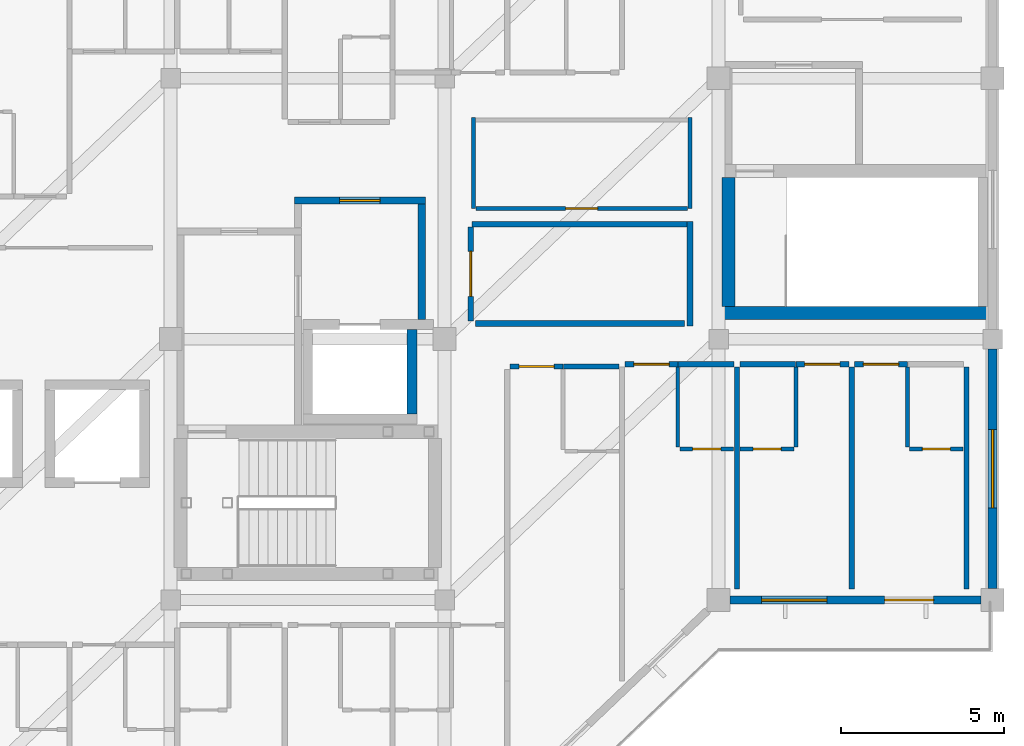
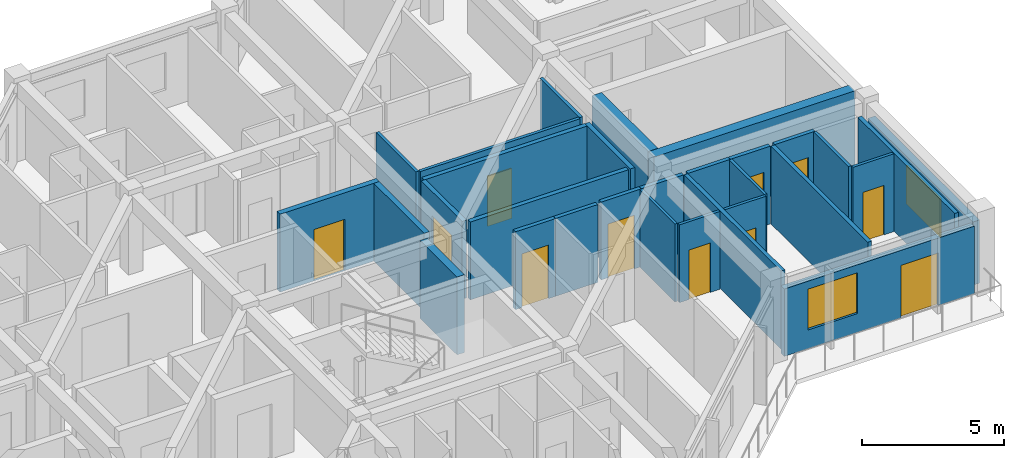
# One storey, part 10 of 15: 30 walls, 11 doors, 2 windows, 13 openings.
"""IFC4 building model written with IfcOpenShell, lengths in metres."""

from ifc_helpers import new_model, si_unit, direction, frame, frame_2d, origin, place, context, subcontext, project, spatial, rectangle, extrude, material, layer, layer_set, type_object, element, fill, save


model = new_model("IFC4")

# Units and contexts
model_context = context("Model", 3, precision=1e-05, world=origin(), true_north=direction((0.0, 1.0)))
body_context = subcontext(model_context, "Body", "Model", "MODEL_VIEW")
ifc_project = project(units=[si_unit("LENGTHUNIT", "METRE"), si_unit("AREAUNIT", "SQUARE_METRE"), si_unit("VOLUMEUNIT", "CUBIC_METRE"), si_unit("PLANEANGLEUNIT", "RADIAN"), si_unit("MASSUNIT", "GRAM", prefix="KILO")], contexts=[model_context])

# Site, building, storey
site_placement = place(None, origin())
site = spatial("IfcSite", under=ifc_project, at=site_placement, CompositionType="ELEMENT")
building_placement = place(site_placement, origin())
building = spatial("IfcBuilding", under=site, at=building_placement, Name="Naruveol Harbour Congress Hotel", CompositionType="ELEMENT")
storey_placement = place(building_placement, frame((0.0, 0.0, 32.39990234375)))
storey = spatial("IfcBuildingStorey", under=building, at=storey_placement, Name="L07", CompositionType="ELEMENT", Elevation=32.39990234375)

# Wall, opening, door
ifc_material_1 = material(Name="Autoclaved Aerated Concrete Block", Category="concrete")
ifc_layer_1 = layer(ifc_material_1, 0.179931640625)
ifc_layer_set_1 = layer_set([ifc_layer_1], Name="Autoclaved Aerated Concrete Block")
wall_type_1 = type_object("IfcWallType", Name="ACOUSTIC HALL PARTITION WALL 180 EI60", PredefinedType="PARTITIONING", material=ifc_layer_set_1)
wall_1_placement = place(storey_placement, frame((160.39990234375, 24.56005859375, 0.0), z_axis=(0.0, 0.0, 1.0), x_axis=(0.0, 1.0, 0.0)))
wall_1 = element("IfcWall", 1, at=wall_1_placement, inside=storey, type_object=wall_type_1, Name="Club Boardroom west entry wall PW-180", PredefinedType="PARTITIONING", context=body_context, shape_type="SweptSolid", body=[
    extrude(rectangle(XDim=2.8798828125, YDim=0.179931640625, at=frame_2d((1.43994140625, 0.0))), origin(), (0.0, 0.0, 1.0), 3.335205078125),
])
opening_1_placement = place(wall_1_placement, frame((0.75, 0.0, 0.0)))
opening_1 = element("IfcOpeningElement", 2, at=opening_1_placement, cuts=wall_1, Name="Opening ID-BD-116", PredefinedType="OPENING", context=body_context, shape_type="SweptSolid", body=[
    extrude(rectangle(XDim=1.3798828125, YDim=2.300048828125, at=frame_2d((0.68994140625, 1.14990234375))), frame((0.0, 0.099853515625, 0.0), z_axis=(0.0, -1.0, 0.0), x_axis=(1.0, 0.0, 0.0)), (0.0, 0.0, 1.0), 0.199951171875),
])
ifc_material_2 = material(Name="Timber & Steel Acoustic Leaf", Category="steel")
door_type_1 = type_object("IfcDoorType", Name="BOARDROOM GLAZED DOUBLE DOOR 1380X2300", OperationType="DOUBLE_DOOR_SINGLE_SWING", PredefinedType="DOOR", material=ifc_material_2)
door_1_placement = place(opening_1_placement, origin())
door_1 = element("IfcDoor", 3, at=door_1_placement, inside=storey, type_object=door_type_1, Name="Club Boardroom Entrance Door", OperationType="DOUBLE_DOOR_SINGLE_SWING", OverallHeight=2.300048828125, OverallWidth=1.3798828125, PredefinedType="DOOR", context=body_context, shape_type="SweptSolid", body=[
    extrude(rectangle(XDim=1.3798828125, YDim=2.300048828125, at=frame_2d((0.68994140625, 1.14990234375))), frame((0.0, 0.02490234375, 0.0), z_axis=(0.0, -1.0, 0.0), x_axis=(1.0, 0.0, 0.0)), (0.0, 0.0, 1.0), 0.050048828125),
])
fill(opening_1, door_1)

# Walls
wall_2_placement = place(storey_placement, frame((160.5400390625, 24.47998046875, 0.0), z_axis=(0.0, 0.0, 1.0), x_axis=(1.0, 0.0, 0.0)))
element("IfcWall", 4, at=wall_2_placement, inside=storey, type_object=wall_type_1, Name="Club Boardroom south partition PW-180", PredefinedType="PARTITIONING", context=body_context, shape_type="SweptSolid", body=[
    extrude(rectangle(XDim=6.409912109375, YDim=0.179931640625, at=frame_2d((3.205078125, 0.0))), origin(), (0.0, 0.0, 1.0), 3.335205078125),
])
wall_3_placement = place(storey_placement, frame((167.1201171875, 24.39990234375, 0.0), z_axis=(0.0, 0.0, 1.0), x_axis=(0.0, 1.0, 0.0)))
element("IfcWall", 5, at=wall_3_placement, inside=storey, type_object=wall_type_1, Name="Club Boardroom east enclosure partition PW-180", PredefinedType="PARTITIONING", context=body_context, shape_type="SweptSolid", body=[
    extrude(rectangle(XDim=3.2001953125, YDim=0.179931640625, at=frame_2d((1.60009765625, 0.0))), origin(), (0.0, 0.0, 1.0), 3.335205078125),
])
wall_4_placement = place(storey_placement, frame((160.431884765625, 27.52001953125, 0.0), z_axis=(0.0, 0.0, 1.0), x_axis=(1.0, 0.0, 0.0)))
element("IfcWall", 6, at=wall_4_placement, inside=storey, type_object=wall_type_1, Name="Club Boardroom north enclosure partition PW-180", PredefinedType="PARTITIONING", context=body_context, shape_type="SweptSolid", body=[
    extrude(rectangle(XDim=6.59814453125, YDim=0.179931640625, at=frame_2d((3.299072265625, 0.0))), origin(), (0.0, 0.0, 1.0), 3.335205078125),
])

# Wall, opening, window
ifc_material_3 = material(Name="Precast concrete C40/50", Category="concrete")
ifc_layer_2 = layer(ifc_material_3, 0.280029296875)
ifc_layer_set_2 = layer_set([ifc_layer_2], Name="Precast concrete C40/50")
wall_type_2 = type_object("IfcWallType", Name="ARCHITECTURAL PRECAST FACADE WALL 280", PredefinedType="SOLIDWALL", material=ifc_layer_set_2)
wall_5_placement = place(storey_placement, frame((176.39990234375, 23.699951171875, 0.0), z_axis=(0.0, 0.0, 1.0), x_axis=(0.0, -1.0, 0.0)))
wall_5 = element("IfcWall", 7, at=wall_5_placement, inside=storey, type_object=wall_type_2, Name="Hotel east gable wall L07 EW-280", PredefinedType="SOLIDWALL", context=body_context, shape_type="SweptSolid", body=[
    extrude(rectangle(XDim=7.349853515625, YDim=0.280029296875, at=frame_2d((3.6748046875, 0.0))), origin(), (0.0, 0.0, 1.0), 2.7001953125),
])
opening_2_placement = place(wall_5_placement, frame((2.47509765625, 0.0, 0.5)))
opening_2 = element("IfcOpeningElement", 8, at=opening_2_placement, cuts=wall_5, Name="Opening W-07", PredefinedType="OPENING", context=body_context, shape_type="SweptSolid", body=[
    extrude(rectangle(XDim=2.39990234375, YDim=1.64990234375, at=frame_2d((1.199951171875, 0.824951171875))), frame((0.0, 0.14990234375, 0.0), z_axis=(0.0, -1.0, 0.0), x_axis=(1.0, 0.0, 0.0)), (0.0, 0.0, 1.0), 0.300048828125),
])
ifc_material_4 = material(Name="Low-E Triple Glazing in Thermal Aluminium", Category="aluminium")
window_type_1 = type_object("IfcWindowType", Name="CORNER SUITE WINDOW 2400X1650", PartitioningType="DOUBLE_PANEL_VERTICAL", PredefinedType="WINDOW", material=ifc_material_4)
window_1_placement = place(opening_2_placement, origin())
window_1 = element("IfcWindow", 9, at=window_1_placement, inside=storey, type_object=window_type_1, Name="Window W-07 #410", OverallHeight=1.64990234375, OverallWidth=2.39990234375, PartitioningType="DOUBLE_PANEL_VERTICAL", PredefinedType="WINDOW", context=body_context, shape_type="SweptSolid", body=[
    extrude(rectangle(XDim=2.39990234375, YDim=1.64990234375, at=frame_2d((1.199951171875, 0.824951171875))), frame((0.0, 0.030029296875, 0.0), z_axis=(0.0, -1.0, 0.0), x_axis=(1.0, 0.0, 0.0)), (0.0, 0.0, 1.0), 0.06005859375),
])
fill(opening_2, window_1)

# Wall
ifc_material_5 = material(Name="Moisture-Resistant Gypsum Partition", Category="gypsum")
ifc_layer_3 = layer(ifc_material_5, 0.114990234375)
ifc_layer_set_3 = layer_set([ifc_layer_3], Name="Moisture-Resistant Gypsum Partition")
wall_type_3 = type_object("IfcWallType", Name="BATHROOM MOISTURE PARTITION WALL 115", PredefinedType="PARTITIONING", material=ifc_layer_set_3)
wall_6_placement = place(storey_placement, frame((166.75, 20.68994140625, 0.0), z_axis=(0.0, 0.0, 1.0), x_axis=(0.0, 1.0, 0.0)))
element("IfcWall", 10, at=wall_6_placement, inside=storey, type_object=wall_type_3, Name="Bathroom west wall 0801 PW-115", PredefinedType="PARTITIONING", context=body_context, shape_type="SweptSolid", body=[
    extrude(rectangle(XDim=2.449951171875, YDim=0.114990234375, at=frame_2d((1.22509765625, 0.0))), origin(), (0.0, 0.0, 1.0), 3.335205078125),
])

# Wall, opening, door
wall_7_placement = place(storey_placement, frame((166.81005859375, 20.6298828125, 0.0), z_axis=(0.0, 0.0, 1.0), x_axis=(1.0, 0.0, 0.0)))
wall_7 = element("IfcWall", 11, at=wall_7_placement, inside=storey, type_object=wall_type_3, Name="Bathroom south wall 0801 PW-115", PredefinedType="PARTITIONING", context=body_context, shape_type="SweptSolid", body=[
    extrude(rectangle(XDim=1.64990234375, YDim=0.114990234375, at=frame_2d((0.824951171875, 0.0))), origin(), (0.0, 0.0, 1.0), 3.335205078125),
])
opening_3_placement = place(wall_7_placement, frame((0.39501953125, 0.0, 0.0)))
opening_3 = element("IfcOpeningElement", 12, at=opening_3_placement, cuts=wall_7, Name="Opening BD-RM0801", PredefinedType="OPENING", context=body_context, shape_type="SweptSolid", body=[
    extrude(rectangle(XDim=0.860107421875, YDim=2.1201171875, at=frame_2d((0.43017578125, 1.06005859375))), frame((0.0, 0.0673828125, 0.0), z_axis=(0.0, -1.0, 0.0), x_axis=(1.0, 0.0, 0.0)), (0.0, 0.0, 1.0), 0.135009765625),
])
ifc_material_6 = material(Name="Timber & Steel Acoustic Leaf", Category="steel")
door_type_2 = type_object("IfcDoorType", Name="GUEST BATHROOM DOOR 860X2120", OperationType="NOTDEFINED", PredefinedType="DOOR", material=ifc_material_6)
door_2_placement = place(opening_3_placement, origin())
door_2 = element("IfcDoor", 13, at=door_2_placement, inside=storey, type_object=door_type_2, Name="Bathroom Door 0801", OperationType="SINGLE_SWING_RIGHT", OverallHeight=2.1201171875, OverallWidth=0.860107421875, PredefinedType="DOOR", context=body_context, shape_type="SweptSolid", body=[
    extrude(rectangle(XDim=0.860107421875, YDim=2.1201171875, at=frame_2d((0.43017578125, 1.06005859375))), frame((0.0, 0.02490234375, 0.0), z_axis=(0.0, -1.0, 0.0), x_axis=(1.0, 0.0, 0.0)), (0.0, 0.0, 1.0), 0.050048828125),
])
fill(opening_3, door_2)

# Wall
wall_8_placement = place(storey_placement, frame((170.3701171875, 20.68994140625, 0.0), z_axis=(0.0, 0.0, 1.0), x_axis=(0.0, 1.0, 0.0)))
element("IfcWall", 14, at=wall_8_placement, inside=storey, type_object=wall_type_3, Name="Bathroom east wall 0802 PW-115", PredefinedType="PARTITIONING", context=body_context, shape_type="SweptSolid", body=[
    extrude(rectangle(XDim=2.449951171875, YDim=0.114990234375, at=frame_2d((1.22509765625, 0.0))), origin(), (0.0, 0.0, 1.0), 3.335205078125),
])

# Wall, opening, door
wall_9_placement = place(storey_placement, frame((168.659912109375, 20.6298828125, 0.0), z_axis=(0.0, 0.0, 1.0), x_axis=(1.0, 0.0, 0.0)))
wall_9 = element("IfcWall", 15, at=wall_9_placement, inside=storey, type_object=wall_type_3, Name="Bathroom south wall 0802 PW-115", PredefinedType="PARTITIONING", context=body_context, shape_type="SweptSolid", body=[
    extrude(rectangle(XDim=1.650146484375, YDim=0.114990234375, at=frame_2d((0.8251953125, 0.0))), origin(), (0.0, 0.0, 1.0), 3.335205078125),
])
opening_4_placement = place(wall_9_placement, frame((0.39501953125, 0.0, 0.0)))
opening_4 = element("IfcOpeningElement", 16, at=opening_4_placement, cuts=wall_9, Name="Opening BD-RM0802", PredefinedType="OPENING", context=body_context, shape_type="SweptSolid", body=[
    extrude(rectangle(XDim=0.860107421875, YDim=2.1201171875, at=frame_2d((0.43017578125, 1.06005859375))), frame((0.0, 0.0673828125, 0.0), z_axis=(0.0, -1.0, 0.0), x_axis=(1.0, 0.0, 0.0)), (0.0, 0.0, 1.0), 0.135009765625),
])
door_3_placement = place(opening_4_placement, origin())
door_3 = element("IfcDoor", 17, at=door_3_placement, inside=storey, type_object=door_type_2, Name="Bathroom Door 0802", OperationType="SINGLE_SWING_RIGHT", OverallHeight=2.1201171875, OverallWidth=0.860107421875, PredefinedType="DOOR", context=body_context, shape_type="SweptSolid", body=[
    extrude(rectangle(XDim=0.860107421875, YDim=2.1201171875, at=frame_2d((0.43017578125, 1.06005859375))), frame((0.0, 0.02490234375, 0.0), z_axis=(0.0, -1.0, 0.0), x_axis=(1.0, 0.0, 0.0)), (0.0, 0.0, 1.0), 0.050048828125),
])
fill(opening_4, door_3)

# Wall
wall_10_placement = place(storey_placement, frame((173.7900390625, 20.68994140625, 0.0), z_axis=(0.0, 0.0, 1.0), x_axis=(0.0, 1.0, 0.0)))
element("IfcWall", 18, at=wall_10_placement, inside=storey, type_object=wall_type_3, Name="Bathroom west wall 0803 PW-115", PredefinedType="PARTITIONING", context=body_context, shape_type="SweptSolid", body=[
    extrude(rectangle(XDim=2.449951171875, YDim=0.114990234375, at=frame_2d((1.22509765625, 0.0))), origin(), (0.0, 0.0, 1.0), 3.335205078125),
])

# Wall, opening, door
wall_11_placement = place(storey_placement, frame((173.85009765625, 20.6298828125, 0.0), z_axis=(0.0, 0.0, 1.0), x_axis=(1.0, 0.0, 0.0)))
wall_11 = element("IfcWall", 19, at=wall_11_placement, inside=storey, type_object=wall_type_3, Name="Bathroom south wall 0803 PW-115", PredefinedType="PARTITIONING", context=body_context, shape_type="SweptSolid", body=[
    extrude(rectangle(XDim=1.64990234375, YDim=0.114990234375, at=frame_2d((0.824951171875, 0.0))), origin(), (0.0, 0.0, 1.0), 3.335205078125),
])
opening_5_placement = place(wall_11_placement, frame((0.39501953125, 0.0, 0.0)))
opening_5 = element("IfcOpeningElement", 20, at=opening_5_placement, cuts=wall_11, Name="Opening BD-RM0803", PredefinedType="OPENING", context=body_context, shape_type="SweptSolid", body=[
    extrude(rectangle(XDim=0.860107421875, YDim=2.1201171875, at=frame_2d((0.43017578125, 1.06005859375))), frame((0.0, 0.0673828125, 0.0), z_axis=(0.0, -1.0, 0.0), x_axis=(1.0, 0.0, 0.0)), (0.0, 0.0, 1.0), 0.135009765625),
])
door_4_placement = place(opening_5_placement, origin())
door_4 = element("IfcDoor", 21, at=door_4_placement, inside=storey, type_object=door_type_2, Name="Bathroom Door 0803", OperationType="SINGLE_SWING_RIGHT", OverallHeight=2.1201171875, OverallWidth=0.860107421875, PredefinedType="DOOR", context=body_context, shape_type="SweptSolid", body=[
    extrude(rectangle(XDim=0.860107421875, YDim=2.1201171875, at=frame_2d((0.43017578125, 1.06005859375))), frame((0.0, 0.02490234375, 0.0), z_axis=(0.0, -1.0, 0.0), x_axis=(1.0, 0.0, 0.0)), (0.0, 0.0, 1.0), 0.050048828125),
])
fill(opening_5, door_4)

# Wall
ifc_material_7 = material(Name="Concrete C40/50", Category="concrete")
ifc_layer_4 = layer(ifc_material_7, 0.219970703125)
ifc_layer_set_4 = layer_set([ifc_layer_4], Name="Concrete C40/50")
wall_type_4 = type_object("IfcWallType", Name="FIRE COMPARTMENT AND LOBBY WALL 220 EI120", PredefinedType="PARTITIONING", material=ifc_layer_set_4)
wall_12_placement = place(storey_placement, frame((158.89990234375, 24.60498046875, 0.0), z_axis=(0.0, 0.0, 1.0), x_axis=(0.0, 1.0, 0.0)))
element("IfcWall", 22, at=wall_12_placement, inside=storey, type_object=wall_type_4, Name="Firefighting lift lobby ST2 east wall FW-220", PredefinedType="PARTITIONING", context=body_context, shape_type="SweptSolid", body=[
    extrude(rectangle(XDim=3.530029296875, YDim=0.219970703125, at=frame_2d((1.76513671875, 0.0))), origin(), (0.0, 0.0, 1.0), 3.335205078125),
])

# Wall, opening, door
wall_13_placement = place(storey_placement, frame((154.989990234375, 28.25, 0.0), z_axis=(0.0, 0.0, 1.0), x_axis=(1.0, 0.0, 0.0)))
wall_13 = element("IfcWall", 23, at=wall_13_placement, inside=storey, type_object=wall_type_4, Name="Firefighting lift lobby ST2 north wall FW-220", PredefinedType="PARTITIONING", context=body_context, shape_type="SweptSolid", body=[
    extrude(rectangle(XDim=4.02001953125, YDim=0.219970703125, at=frame_2d((2.010009765625, 0.0))), origin(), (0.0, 0.0, 1.0), 3.335205078125),
])
opening_6_placement = place(wall_13_placement, frame((1.389892578125, 0.0, 0.0)))
opening_6 = element("IfcOpeningElement", 24, at=opening_6_placement, cuts=wall_13, Name="Opening FD-FFC-ST2-L07", PredefinedType="OPENING", context=body_context, shape_type="SweptSolid", body=[
    extrude(rectangle(XDim=1.239990234375, YDim=2.199951171875, at=frame_2d((0.6201171875, 1.10009765625))), frame((0.0, 0.119873046875, 0.0), z_axis=(0.0, -1.0, 0.0), x_axis=(1.0, 0.0, 0.0)), (0.0, 0.0, 1.0), 0.239990234375),
])
ifc_material_8 = material(Name="Timber & Steel Acoustic Leaf", Category="steel")
door_type_3 = type_object("IfcDoorType", Name="FIREFIGHTING LOBBY FIRE DOOR 1240X2200", OperationType="NOTDEFINED", PredefinedType="DOOR", material=ifc_material_8)
door_5_placement = place(opening_6_placement, origin())
door_5 = element("IfcDoor", 25, at=door_5_placement, inside=storey, type_object=door_type_3, Name="Firefighting Lobby Corridor Door ST2 L07", OperationType="SINGLE_SWING_LEFT", OverallHeight=2.199951171875, OverallWidth=1.239990234375, PredefinedType="DOOR", context=body_context, shape_type="SweptSolid", body=[
    extrude(rectangle(XDim=1.239990234375, YDim=2.199951171875, at=frame_2d((0.6201171875, 1.10009765625))), frame((0.0, 0.02490234375, 0.0), z_axis=(0.0, -1.0, 0.0), x_axis=(1.0, 0.0, 0.0)), (0.0, 0.0, 1.0), 0.050048828125),
])
fill(opening_6, door_5)

ifc_material_9 = material(Name="Autoclaved Aerated Concrete Block", Category="concrete")
ifc_layer_5 = layer(ifc_material_9, 0.159912109375)
ifc_layer_set_5 = layer_set([ifc_layer_5], Name="Autoclaved Aerated Concrete Block")
wall_type_5 = type_object("IfcWallType", Name="HOTEL PARTY AND CORRIDOR WALL 160 EI60", PredefinedType="PARTITIONING", material=ifc_layer_set_5)
wall_14_placement = place(storey_placement, frame((161.610107421875, 23.159912109375, 0.0), z_axis=(0.0, 0.0, 1.0), x_axis=(1.0, 0.0, 0.0)))
wall_14 = element("IfcWall", 26, at=wall_14_placement, inside=storey, type_object=wall_type_5, Name="Corridor entry wall 0800 PW-160", PredefinedType="PARTITIONING", context=body_context, shape_type="SweptSolid", body=[
    extrude(rectangle(XDim=1.619873046875, YDim=0.159912109375, at=frame_2d((0.81005859375, 0.0))), origin(), (0.0, 0.0, 1.0), 3.335205078125),
])
opening_7_placement = place(wall_14_placement, frame((0.27001953125, 0.0, 0.0)))
opening_7 = element("IfcOpeningElement", 27, at=opening_7_placement, cuts=wall_14, Name="Opening FD-RM0800", PredefinedType="OPENING", context=body_context, shape_type="SweptSolid", body=[
    extrude(rectangle(XDim=1.080078125, YDim=2.300048828125, at=frame_2d((0.5400390625, 1.14990234375))), frame((0.0, 0.08984375, 0.0), z_axis=(0.0, -1.0, 0.0), x_axis=(1.0, 0.0, 0.0)), (0.0, 0.0, 1.0), 0.179931640625),
])
ifc_material_10 = material(Name="Timber & Steel Acoustic Leaf", Category="steel")
door_type_4 = type_object("IfcDoorType", Name="SUITE ENTRANCE FIRE DOOR 1080X2300", OperationType="NOTDEFINED", PredefinedType="DOOR", material=ifc_material_10)
door_6_placement = place(opening_7_placement, origin())
door_6 = element("IfcDoor", 28, at=door_6_placement, inside=storey, type_object=door_type_4, Name="Hotel Room Door 0800", OperationType="SINGLE_SWING_LEFT", OverallHeight=2.300048828125, OverallWidth=1.080078125, PredefinedType="DOOR", context=body_context, shape_type="SweptSolid", body=[
    extrude(rectangle(XDim=1.080078125, YDim=2.300048828125, at=frame_2d((0.5400390625, 1.14990234375))), frame((0.0, 0.02490234375, 0.0), z_axis=(0.0, -1.0, 0.0), x_axis=(1.0, 0.0, 0.0)), (0.0, 0.0, 1.0), 0.050048828125),
])
fill(opening_7, door_6)

# Wall
wall_15_placement = place(storey_placement, frame((163.239990234375, 23.159912109375, 0.0), z_axis=(0.0, 0.0, 1.0), x_axis=(1.0, 0.0, 0.0)))
element("IfcWall", 29, at=wall_15_placement, inside=storey, type_object=wall_type_5, Name="Corridor wall 0800B PW-160", PredefinedType="PARTITIONING", context=body_context, shape_type="SweptSolid", body=[
    extrude(rectangle(XDim=1.7099609375, YDim=0.159912109375, at=frame_2d((0.85498046875, 0.0))), origin(), (0.0, 0.0, 1.0), 3.335205078125),
])

# Wall, opening, door
wall_16_placement = place(storey_placement, frame((165.1298828125, 23.22998046875, 0.0), z_axis=(0.0, 0.0, 1.0), x_axis=(1.0, 0.0, 0.0)))
wall_16 = element("IfcWall", 30, at=wall_16_placement, inside=storey, type_object=wall_type_5, Name="Corridor entry wall 0801 PW-160", PredefinedType="PARTITIONING", context=body_context, shape_type="SweptSolid", body=[
    extrude(rectangle(XDim=1.6201171875, YDim=0.159912109375, at=frame_2d((0.81005859375, 0.0))), origin(), (0.0, 0.0, 1.0), 3.335205078125),
])
opening_8_placement = place(wall_16_placement, frame((0.27001953125, 0.0, 0.0)))
opening_8 = element("IfcOpeningElement", 31, at=opening_8_placement, cuts=wall_16, Name="Opening FD-RM0801", PredefinedType="OPENING", context=body_context, shape_type="SweptSolid", body=[
    extrude(rectangle(XDim=1.080078125, YDim=2.300048828125, at=frame_2d((0.5400390625, 1.14990234375))), frame((0.0, 0.08984375, 0.0), z_axis=(0.0, -1.0, 0.0), x_axis=(1.0, 0.0, 0.0)), (0.0, 0.0, 1.0), 0.179931640625),
])
door_7_placement = place(opening_8_placement, origin())
door_7 = element("IfcDoor", 32, at=door_7_placement, inside=storey, type_object=door_type_4, Name="Hotel Room Door 0801", OperationType="SINGLE_SWING_LEFT", OverallHeight=2.300048828125, OverallWidth=1.080078125, PredefinedType="DOOR", context=body_context, shape_type="SweptSolid", body=[
    extrude(rectangle(XDim=1.080078125, YDim=2.300048828125, at=frame_2d((0.5400390625, 1.14990234375))), frame((0.0, 0.02490234375, 0.0), z_axis=(0.0, -1.0, 0.0), x_axis=(1.0, 0.0, 0.0)), (0.0, 0.0, 1.0), 0.050048828125),
])
fill(opening_8, door_7)

# Walls
wall_17_placement = place(storey_placement, frame((166.760009765625, 23.22998046875, 0.0), z_axis=(0.0, 0.0, 1.0), x_axis=(1.0, 0.0, 0.0)))
element("IfcWall", 33, at=wall_17_placement, inside=storey, type_object=wall_type_5, Name="Corridor wall 0801B PW-160", PredefinedType="PARTITIONING", context=body_context, shape_type="SweptSolid", body=[
    extrude(rectangle(XDim=1.7099609375, YDim=0.159912109375, at=frame_2d((0.85498046875, 0.0))), origin(), (0.0, 0.0, 1.0), 3.335205078125),
])
wall_18_placement = place(storey_placement, frame((168.64990234375, 23.22998046875, 0.0), z_axis=(0.0, 0.0, 1.0), x_axis=(1.0, 0.0, 0.0)))
element("IfcWall", 34, at=wall_18_placement, inside=storey, type_object=wall_type_5, Name="Corridor wall 0802B PW-160", PredefinedType="PARTITIONING", context=body_context, shape_type="SweptSolid", body=[
    extrude(rectangle(XDim=1.710205078125, YDim=0.159912109375, at=frame_2d((0.85498046875, 0.0))), origin(), (0.0, 0.0, 1.0), 3.335205078125),
])

# Wall, opening, door
wall_19_placement = place(storey_placement, frame((170.3701171875, 23.22998046875, 0.0), z_axis=(0.0, 0.0, 1.0), x_axis=(1.0, 0.0, 0.0)))
wall_19 = element("IfcWall", 35, at=wall_19_placement, inside=storey, type_object=wall_type_5, Name="Corridor entry wall 0802 PW-160", PredefinedType="PARTITIONING", context=body_context, shape_type="SweptSolid", body=[
    extrude(rectangle(XDim=1.619873046875, YDim=0.159912109375, at=frame_2d((0.81005859375, 0.0))), origin(), (0.0, 0.0, 1.0), 3.335205078125),
])
opening_9_placement = place(wall_19_placement, frame((0.27001953125, 0.0, 0.0)))
opening_9 = element("IfcOpeningElement", 36, at=opening_9_placement, cuts=wall_19, Name="Opening FD-RM0802", PredefinedType="OPENING", context=body_context, shape_type="SweptSolid", body=[
    extrude(rectangle(XDim=1.080078125, YDim=2.300048828125, at=frame_2d((0.5400390625, 1.14990234375))), frame((0.0, 0.08984375, 0.0), z_axis=(0.0, -1.0, 0.0), x_axis=(1.0, 0.0, 0.0)), (0.0, 0.0, 1.0), 0.179931640625),
])
door_8_placement = place(opening_9_placement, origin())
door_8 = element("IfcDoor", 37, at=door_8_placement, inside=storey, type_object=door_type_4, Name="Hotel Room Door 0802", OperationType="SINGLE_SWING_LEFT", OverallHeight=2.300048828125, OverallWidth=1.080078125, PredefinedType="DOOR", context=body_context, shape_type="SweptSolid", body=[
    extrude(rectangle(XDim=1.080078125, YDim=2.300048828125, at=frame_2d((0.5400390625, 1.14990234375))), frame((0.0, 0.02490234375, 0.0), z_axis=(0.0, -1.0, 0.0), x_axis=(1.0, 0.0, 0.0)), (0.0, 0.0, 1.0), 0.050048828125),
])
fill(opening_9, door_8)

# Wall
wall_20_placement = place(storey_placement, frame((168.56005859375, 16.340087890625, 0.0), z_axis=(0.0, 0.0, 1.0), x_axis=(0.0, 1.0, 0.0)))
element("IfcWall", 38, at=wall_20_placement, inside=storey, type_object=wall_type_5, Name="Hotel party wall 0802 PW-160", PredefinedType="PARTITIONING", context=body_context, shape_type="SweptSolid", body=[
    extrude(rectangle(XDim=6.7998046875, YDim=0.159912109375, at=frame_2d((3.39990234375, 0.0))), origin(), (0.0, 0.0, 1.0), 3.335205078125),
])

# Wall, opening, door
wall_21_placement = place(storey_placement, frame((172.169921875, 23.22998046875, 0.0), z_axis=(0.0, 0.0, 1.0), x_axis=(1.0, 0.0, 0.0)))
wall_21 = element("IfcWall", 39, at=wall_21_placement, inside=storey, type_object=wall_type_5, Name="Corridor entry wall 0803 PW-160", PredefinedType="PARTITIONING", context=body_context, shape_type="SweptSolid", body=[
    extrude(rectangle(XDim=1.6201171875, YDim=0.159912109375, at=frame_2d((0.81005859375, 0.0))), origin(), (0.0, 0.0, 1.0), 3.335205078125),
])
opening_10_placement = place(wall_21_placement, frame((0.27001953125, 0.0, 0.0)))
opening_10 = element("IfcOpeningElement", 40, at=opening_10_placement, cuts=wall_21, Name="Opening FD-RM0803", PredefinedType="OPENING", context=body_context, shape_type="SweptSolid", body=[
    extrude(rectangle(XDim=1.080078125, YDim=2.300048828125, at=frame_2d((0.5400390625, 1.14990234375))), frame((0.0, 0.08984375, 0.0), z_axis=(0.0, -1.0, 0.0), x_axis=(1.0, 0.0, 0.0)), (0.0, 0.0, 1.0), 0.179931640625),
])
door_9_placement = place(opening_10_placement, origin())
door_9 = element("IfcDoor", 41, at=door_9_placement, inside=storey, type_object=door_type_4, Name="Hotel Room Door 0803", OperationType="SINGLE_SWING_LEFT", OverallHeight=2.300048828125, OverallWidth=1.080078125, PredefinedType="DOOR", context=body_context, shape_type="SweptSolid", body=[
    extrude(rectangle(XDim=1.080078125, YDim=2.300048828125, at=frame_2d((0.5400390625, 1.14990234375))), frame((0.0, 0.02490234375, 0.0), z_axis=(0.0, -1.0, 0.0), x_axis=(1.0, 0.0, 0.0)), (0.0, 0.0, 1.0), 0.050048828125),
])
fill(opening_10, door_9)

# Walls
for number, where, z_axis, x_axis, name in (
    (42, (172.080078125, 16.340087890625, 0.0), (0.0, 0.0, 1.0), (0.0, 1.0, 0.0), "Hotel party wall 0803 PW-160"),
    (43, (175.60009765625, 16.340087890625, 0.0), (0.0, 0.0, 1.0), (0.0, 1.0, 0.0), "Hotel end party wall 0803 PW-160"),
):
    element("IfcWall", number, at=place(storey_placement, frame(where, z_axis=z_axis, x_axis=x_axis)), inside=storey, type_object=wall_type_5, Name=name, PredefinedType="PARTITIONING", context=body_context, shape_type="SweptSolid", body=[
        extrude(rectangle(XDim=6.7998046875, YDim=0.159912109375, at=frame_2d((3.39990234375, 0.0))), origin(), (0.0, 0.0, 1.0), 3.335205078125),
    ])

# Wall, openings, window, door
ifc_material_11 = material(Name="Concrete C40/50", Category="concrete")
ifc_layer_6 = layer(ifc_material_11, 0.239990234375)
ifc_layer_set_6 = layer_set([ifc_layer_6], Name="Concrete C40/50")
wall_type_6 = type_object("IfcWallType", Name="INSULATED HOTEL SPANDREL WALL 240", PredefinedType="SOLIDWALL", material=ifc_layer_set_6)
wall_22_placement = place(storey_placement, frame((176.050048828125, 16.0, 0.0), z_axis=(0.0, 0.0, 1.0), x_axis=(-1.0, 0.0, 0.0)))
wall_22 = element("IfcWall", 44, at=wall_22_placement, inside=storey, type_object=wall_type_6, Name="Hotel south waterfront wall L07 EW-240", PredefinedType="SOLIDWALL", context=body_context, shape_type="SweptSolid", body=[
    extrude(rectangle(XDim=7.699951171875, YDim=0.239990234375, at=frame_2d((3.85009765625, 0.0))), origin(), (0.0, 0.0, 1.0), 2.89013671875),
])
opening_11_placement = place(wall_22_placement, frame((1.4599609375, 0.0, 0.0)))
opening_11 = element("IfcOpeningElement", 45, at=opening_11_placement, cuts=wall_22, Name="Opening BD-150-060", PredefinedType="OPENING", context=body_context, shape_type="SweptSolid", body=[
    extrude(rectangle(XDim=1.5, YDim=2.25, at=frame_2d((0.75, 1.125))), frame((0.0, 0.1298828125, 0.0), z_axis=(0.0, -1.0, 0.0), x_axis=(1.0, 0.0, 0.0)), (0.0, 0.0, 1.0), 0.260009765625),
])
opening_12_placement = place(wall_22_placement, frame((4.72998046875, 0.0, 0.800048828125)))
opening_12 = element("IfcOpeningElement", 46, at=opening_12_placement, cuts=wall_22, Name="Opening W-05", PredefinedType="OPENING", context=body_context, shape_type="SweptSolid", body=[
    extrude(rectangle(XDim=2.0, YDim=1.75, at=frame_2d((1.0, 0.875))), frame((0.0, 0.1298828125, 0.0), z_axis=(0.0, -1.0, 0.0), x_axis=(1.0, 0.0, 0.0)), (0.0, 0.0, 1.0), 0.260009765625),
])
ifc_material_12 = material(Name="Low-E Triple Glazing in Thermal Aluminium", Category="aluminium")
window_type_2 = type_object("IfcWindowType", Name="GARDEN SUITE WINDOW 2000X1750", PartitioningType="DOUBLE_PANEL_VERTICAL", PredefinedType="WINDOW", material=ifc_material_12)
window_2_placement = place(opening_12_placement, origin())
window_2 = element("IfcWindow", 47, at=window_2_placement, inside=storey, type_object=window_type_2, Name="Window W-05 #404", OverallHeight=1.75, OverallWidth=2.0, PartitioningType="DOUBLE_PANEL_VERTICAL", PredefinedType="WINDOW", context=body_context, shape_type="SweptSolid", body=[
    extrude(rectangle(XDim=2.0, YDim=1.75, at=frame_2d((1.0, 0.875))), frame((0.0, 0.030029296875, 0.0), z_axis=(0.0, -1.0, 0.0), x_axis=(1.0, 0.0, 0.0)), (0.0, 0.0, 1.0), 0.06005859375),
])
fill(opening_12, window_2)
ifc_material_13 = material(Name="Powder-Coated Steel & Insulated Glazing", Category="steel")
door_type_5 = type_object("IfcDoorType", Name="SUITE BALCONY SLIDING DOOR 1500X2250", OperationType="SLIDING_TO_LEFT", PredefinedType="DOOR", material=ifc_material_13)
door_10_placement = place(opening_11_placement, origin())
door_10 = element("IfcDoor", 48, at=door_10_placement, inside=storey, type_object=door_type_5, Name="Exterior door BD-150-060", OperationType="SLIDING_TO_LEFT", OverallHeight=2.25, OverallWidth=1.5, PredefinedType="DOOR", context=body_context, shape_type="SweptSolid", body=[
    extrude(rectangle(XDim=1.5, YDim=2.25, at=frame_2d((0.75, 1.125))), frame((0.0, 0.02490234375, 0.0), z_axis=(0.0, -1.0, 0.0), x_axis=(1.0, 0.0, 0.0)), (0.0, 0.0, 1.0), 0.050048828125),
])
fill(opening_11, door_10)

# Walls
ifc_material_14 = material(Name="Concrete C50/60", Category="concrete")
ifc_layer_7 = layer(ifc_material_14, 0.39990234375)
ifc_layer_set_7 = layer_set([ifc_layer_7], Name="Concrete C50/60")
wall_type_7 = type_object("IfcWallType", Name="RC CORE SHEAR WALL 400 EI120", PredefinedType="SHEAR", material=ifc_layer_set_7)
wall_23_placement = place(storey_placement, frame((168.10009765625, 24.800048828125, 0.0), z_axis=(0.0, 0.0, 1.0), x_axis=(1.0, 0.0, 0.0)))
element("IfcWall", 49, at=wall_23_placement, inside=storey, type_object=wall_type_7, Name="Stair ST4 south core wall CW-400", PredefinedType="SHEAR", context=body_context, shape_type="SweptSolid", body=[
    extrude(rectangle(XDim=8.14990234375, YDim=0.39990234375, at=frame_2d((4.074951171875, 0.0))), origin(), (0.0, 0.0, 1.0), 3.335205078125),
])
wall_24_placement = place(storey_placement, frame((168.300048828125, 25.0048828125, 0.0), z_axis=(0.0, 0.0, 1.0), x_axis=(0.0, 1.0, 0.0)))
element("IfcWall", 50, at=wall_24_placement, inside=storey, type_object=wall_type_7, Name="Stair ST4 west core wall CW-400", PredefinedType="SHEAR", context=body_context, shape_type="SweptSolid", body=[
    extrude(rectangle(XDim=3.9501953125, YDim=0.39990234375, at=frame_2d((1.97509765625, 0.0))), origin(), (0.0, 0.0, 1.0), 3.335205078125),
])
ifc_material_15 = material(Name="Concrete C50/60", Category="concrete")
ifc_layer_8 = layer(ifc_material_15, 0.300048828125)
ifc_layer_set_8 = layer_set([ifc_layer_8], Name="Concrete C50/60")
wall_type_8 = type_object("IfcWallType", Name="RC STAIR AND HOISTWAY SHEAR WALL 300 EI120", PredefinedType="SHEAR", material=ifc_layer_set_8)
wall_25_placement = place(storey_placement, frame((158.60009765625, 21.705078125, 0.0), z_axis=(0.0, 0.0, 1.0), x_axis=(0.0, 1.0, 0.0)))
element("IfcWall", 51, at=wall_25_placement, inside=storey, type_object=wall_type_8, Name="Hoistway east shear wall FL2 SW-300", PredefinedType="SHEAR", context=body_context, shape_type="SweptSolid", body=[
    extrude(rectangle(XDim=2.58984375, YDim=0.300048828125, at=frame_2d((1.294921875, 0.0))), origin(), (0.0, 0.0, 1.0), 3.335205078125),
])

# Wall, opening, door
ifc_material_16 = material(Name="Acoustic Double Stud Gypsum", Category="gypsum")
ifc_layer_9 = layer(ifc_material_16, 0.125)
ifc_layer_set_9 = layer_set([ifc_layer_9], Name="Acoustic Double Stud Gypsum")
wall_type_9 = type_object("IfcWallType", Name="SERVICE CHASE PARTITION WALL 125", PredefinedType="PARTITIONING", material=ifc_layer_set_9)
wall_26_placement = place(storey_placement, frame((160.56005859375, 28.0, 0.0), z_axis=(0.0, 0.0, 1.0), x_axis=(1.0, 0.0, 0.0)))
wall_26 = element("IfcWall", 52, at=wall_26_placement, inside=storey, type_object=wall_type_9, Name="Accessible Restroom south entry wall PW-125", PredefinedType="PARTITIONING", context=body_context, shape_type="SweptSolid", body=[
    extrude(rectangle(XDim=6.47998046875, YDim=0.125, at=frame_2d((3.239990234375, 0.0))), origin(), (0.0, 0.0, 1.0), 3.335205078125),
])
opening_13_placement = place(wall_26_placement, frame((2.75, 0.0, 0.0)))
opening_13 = element("IfcOpeningElement", 53, at=opening_13_placement, cuts=wall_26, Name="Opening BD-ACC-L07-117", PredefinedType="OPENING", context=body_context, shape_type="SweptSolid", body=[
    extrude(rectangle(XDim=0.97998046875, YDim=2.14990234375, at=frame_2d((0.489990234375, 1.074951171875))), frame((0.0, 0.072509765625, 0.0), z_axis=(0.0, -1.0, 0.0), x_axis=(1.0, 0.0, 0.0)), (0.0, 0.0, 1.0), 0.14501953125),
])
ifc_material_17 = material(Name="Timber & Steel Acoustic Leaf", Category="steel")
door_type_6 = type_object("IfcDoorType", Name="ACCESSIBLE RESTROOM DOOR 980X2150", OperationType="NOTDEFINED", PredefinedType="DOOR", material=ifc_material_17)
door_11_placement = place(opening_13_placement, origin())
door_11 = element("IfcDoor", 54, at=door_11_placement, inside=storey, type_object=door_type_6, Name="Accessible Restroom Door L07", OperationType="SINGLE_SWING_RIGHT", OverallHeight=2.14990234375, OverallWidth=0.97998046875, PredefinedType="DOOR", context=body_context, shape_type="SweptSolid", body=[
    extrude(rectangle(XDim=0.97998046875, YDim=2.14990234375, at=frame_2d((0.489990234375, 1.074951171875))), frame((0.0, 0.02490234375, 0.0), z_axis=(0.0, -1.0, 0.0), x_axis=(1.0, 0.0, 0.0)), (0.0, 0.0, 1.0), 0.050048828125),
])
fill(opening_13, door_11)

# Walls
for number, where, z_axis, x_axis, name in (
    (55, (160.47998046875, 28.00390625, 0.0), (0.0, 0.0, 1.0), (0.0, 1.0, 0.0), "Accessible Restroom west enclosure partition PW-125"),
    (56, (167.1201171875, 28.00390625, 0.0), (0.0, 0.0, 1.0), (0.0, 1.0, 0.0), "Accessible Restroom east enclosure partition PW-125"),
):
    element("IfcWall", number, at=place(storey_placement, frame(where, z_axis=z_axis, x_axis=x_axis)), inside=storey, type_object=wall_type_9, Name=name, PredefinedType="PARTITIONING", context=body_context, shape_type="SweptSolid", body=[
        extrude(rectangle(XDim=2.796142578125, YDim=0.125, at=frame_2d((1.39794921875, 0.0))), origin(), (0.0, 0.0, 1.0), 3.335205078125),
    ])

save(model, "model.ifc")
